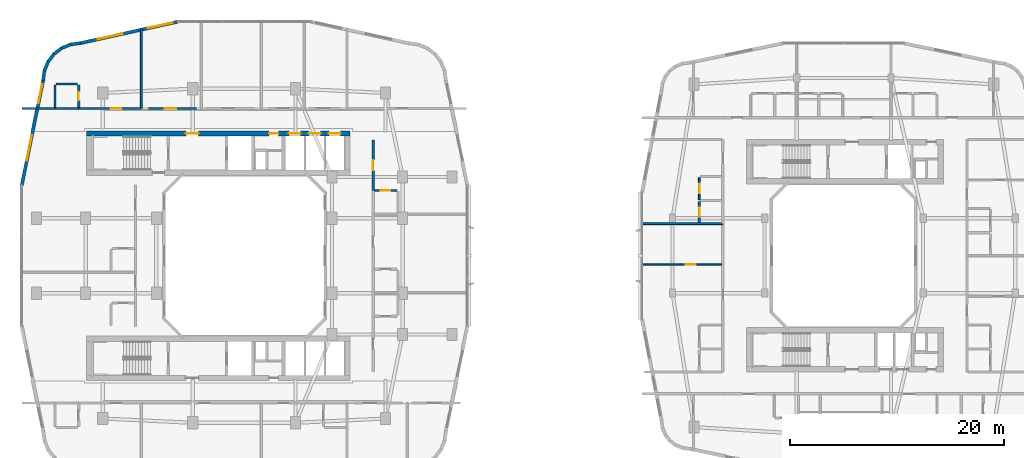
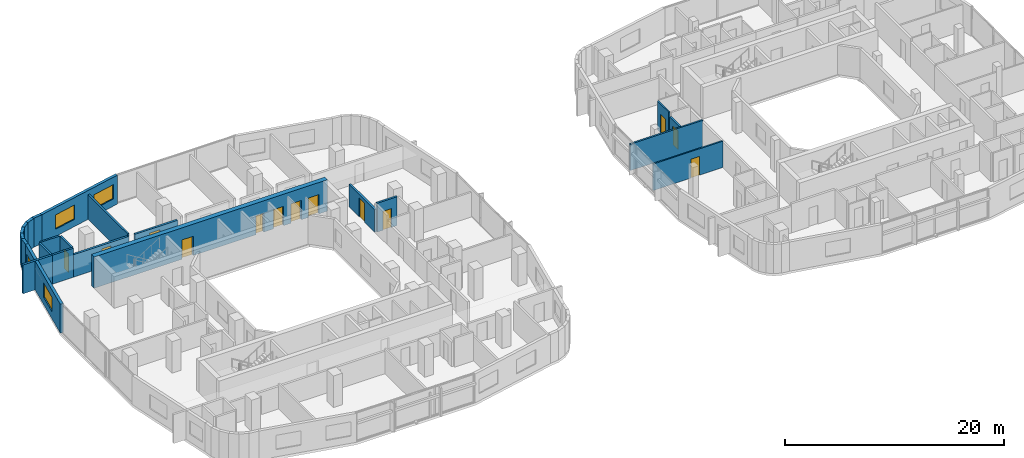
# One storey, part 16 of 27: 23 walls, 13 doors, 4 windows, 17 openings.
"""IFC4 building model written with IfcOpenShell, lengths in metres."""

from ifc_helpers import new_model, si_unit, derived_unit, direction, frame, frame_2d, origin, place, context, subcontext, project, spatial, rectangle, extrude, material, layer, layer_set, type_object, element, fill, save


model = new_model("IFC4")

# Units and contexts
model_context = context("Model", 3, precision=1e-05, world=origin(), true_north=direction((0.0, 1.0)))
body_context = subcontext(model_context, "Body", "Model", "MODEL_VIEW")
ifc_project = project(units=[si_unit("LENGTHUNIT", "METRE"), si_unit("AREAUNIT", "SQUARE_METRE"), si_unit("VOLUMEUNIT", "CUBIC_METRE"), si_unit("PLANEANGLEUNIT", "RADIAN"), si_unit("MASSUNIT", "GRAM", prefix="KILO"), derived_unit("THERMALTRANSMITTANCEUNIT", [(si_unit("POWERUNIT", "WATT"), 1), (si_unit("LENGTHUNIT", "METRE"), -2), (si_unit("THERMODYNAMICTEMPERATUREUNIT", "KELVIN"), -1)])], contexts=[model_context])

# Site, building, storey
site_placement = place(None, origin())
site = spatial("IfcSite", under=ifc_project, at=site_placement, CompositionType="ELEMENT")
building_placement = place(site_placement, origin())
building = spatial("IfcBuilding", under=site, at=building_placement, Name="Kivonza Crest Hotel", CompositionType="ELEMENT")
storey_placement = place(building_placement, frame((0.0, 0.0, 76.5)))
storey = spatial("IfcBuildingStorey", under=building, at=storey_placement, Name="L20", CompositionType="ELEMENT", Elevation=76.5)

# Walls
ifc_material_1 = material(Name="High-density acoustic masonry inter-tenancy wall", Category="masonry")
ifc_layer_1 = layer(ifc_material_1, 0.179931640625)
ifc_layer_set_1 = layer_set([ifc_layer_1], Name="High-density acoustic masonry inter-tenancy wall")
wall_type_1 = type_object("IfcWallType", Name="WL-ACOU-180", PredefinedType="SOLIDWALL", material=ifc_layer_set_1)
wall_1_placement = place(storey_placement, frame((11.39990234375, 38.75, 0.0), z_axis=(0.0, 0.0, 1.0), x_axis=(0.0, 1.0, 0.0)))
element("IfcWall", 1, at=wall_1_placement, inside=storey, type_object=wall_type_1, Name="L20 interior partition WA-L20-T1N-DIV1", PredefinedType="SOLIDWALL", context=body_context, shape_type="SweptSolid", body=[
    extrude(rectangle(XDim=7.449951171875, YDim=0.179931640625, at=frame_2d((3.72509765625, 0.0))), origin(), (0.0, 0.0, 1.0), 2.7451171875),
])
wall_2_placement = place(storey_placement, frame((58.06005859375, 28.0, 0.0), z_axis=(0.0, 0.0, 1.0), x_axis=(1.0, 0.0, 0.0)))
element("IfcWall", 2, at=wall_2_placement, inside=storey, type_object=wall_type_1, Name="L20 interior partition WA-L20-T2W-DIV1", PredefinedType="SOLIDWALL", context=body_context, shape_type="SweptSolid", body=[
    extrude(rectangle(XDim=7.639892578125, YDim=0.179931640625, at=frame_2d((3.81982421875, 0.0))), origin(), (0.0, 0.0, 1.0), 2.945068359375),
])
ifc_material_2 = material(Name="Autoclaved aerated concrete blockwork", Category="masonry")
ifc_layer_2 = layer(ifc_material_2, 0.219970703125)
ifc_layer_set_2 = layer_set([ifc_layer_2], Name="Autoclaved aerated concrete blockwork")
wall_type_2 = type_object("IfcWallType", Name="WL-ACOU-220", PredefinedType="SOLIDWALL", material=ifc_layer_set_2)
wall_3_placement = place(storey_placement, frame((0.239990234375, 38.75, 0.0), z_axis=(0.0, 0.0, 1.0), x_axis=(1.0, 0.0, 0.0)))
element("IfcWall", 3, at=wall_3_placement, inside=storey, type_object=wall_type_2, Name="L20 interior partition WA-L20-N01-XCORR", PredefinedType="SOLIDWALL", context=body_context, shape_type="SweptSolid", body=[
    extrude(rectangle(XDim=3.110107421875, YDim=0.219970703125, at=frame_2d((1.55517578125, 0.0))), origin(), (0.0, 0.0, 1.0), 3.219970703125),
])
wall_4_placement = place(storey_placement, frame((3.35009765625, 38.75, 0.0), z_axis=(0.0, 0.0, 1.0), x_axis=(1.0, 0.0, 0.0)))
element("IfcWall", 4, at=wall_4_placement, inside=storey, type_object=wall_type_2, Name="L20 interior partition WA-L20-N01-BCORR", PredefinedType="SOLIDWALL", context=body_context, shape_type="SweptSolid", body=[
    extrude(rectangle(XDim=2.199951171875, YDim=0.219970703125, at=frame_2d((1.10009765625, 0.0))), origin(), (0.0, 0.0, 1.0), 3.219970703125),
])

# Wall, opening, door
wall_5_placement = place(storey_placement, frame((5.550048828125, 38.75, 0.0), z_axis=(0.0, 0.0, 1.0), x_axis=(1.0, 0.0, 0.0)))
wall_5 = element("IfcWall", 5, at=wall_5_placement, inside=storey, type_object=wall_type_2, Name="L20 interior partition WA-L20-N01-MCORR", PredefinedType="SOLIDWALL", context=body_context, shape_type="SweptSolid", body=[
    extrude(rectangle(XDim=5.849853515625, YDim=0.219970703125, at=frame_2d((2.9248046875, 0.0))), origin(), (0.0, 0.0, 1.0), 2.4951171875),
])
opening_1_placement = place(wall_5_placement, frame((3.010009765625, 0.0, 0.0)))
opening_1 = element("IfcOpeningElement", 6, at=opening_1_placement, cuts=wall_5, Name="Opening DU-60", PredefinedType="OPENING", context=body_context, shape_type="SweptSolid", body=[
    extrude(rectangle(XDim=0.949951171875, YDim=2.10009765625, at=frame_2d((0.47509765625, 1.050048828125))), frame((0.0, 0.1201171875, 0.0), z_axis=(0.0, -1.0, 0.0), x_axis=(1.0, 0.0, 0.0)), (0.0, 0.0, 1.0), 0.239990234375),
])
ifc_material_3 = material(Name="Hardwood timber oak", Category="wood")
door_type_1 = type_object("IfcDoorType", Name="DR-UNIT-950", OperationType="NOTDEFINED", PredefinedType="DOOR", material=ifc_material_3)
door_1_placement = place(opening_1_placement, origin())
door_1 = element("IfcDoor", 7, at=door_1_placement, inside=storey, type_object=door_type_1, Name="L20 N01 guest unit entrance fire door", OperationType="SINGLE_SWING_LEFT", OverallHeight=2.10009765625, OverallWidth=0.949951171875, PredefinedType="DOOR", context=body_context, shape_type="SweptSolid", body=[
    extrude(rectangle(XDim=0.949951171875, YDim=2.10009765625, at=frame_2d((0.47509765625, 1.050048828125))), frame((0.0, 0.02490234375, 0.0), z_axis=(0.0, -1.0, 0.0), x_axis=(1.0, 0.0, 0.0)), (0.0, 0.0, 1.0), 0.050048828125),
])
fill(opening_1, door_1)

wall_6_placement = place(storey_placement, frame((12.050048828125, 38.75, 0.0), z_axis=(0.0, 0.0, 1.0), x_axis=(1.0, 0.0, 0.0)))
wall_6 = element("IfcWall", 8, at=wall_6_placement, inside=storey, type_object=wall_type_2, Name="L20 interior partition WA-L20-Z1-NB2A-S", PredefinedType="SOLIDWALL", context=body_context, shape_type="SweptSolid", body=[
    extrude(rectangle(XDim=4.5, YDim=0.219970703125, at=frame_2d((2.25, 0.0))), origin(), (0.0, 0.0, 1.0), 2.4951171875),
])
opening_2_placement = place(wall_6_placement, frame((1.52001953125, 0.0, 0.0)))
opening_2 = element("IfcOpeningElement", 9, at=opening_2_placement, cuts=wall_6, Name="Opening DF-60M", PredefinedType="OPENING", context=body_context, shape_type="SweptSolid", body=[
    extrude(rectangle(XDim=1.10009765625, YDim=2.10009765625, at=frame_2d((0.550048828125, 1.050048828125))), frame((0.0, 0.1201171875, 0.0), z_axis=(0.0, -1.0, 0.0), x_axis=(1.0, 0.0, 0.0)), (0.0, 0.0, 1.0), 0.239990234375),
])
door_type_2 = type_object("IfcDoorType", Name="DR-FD60-1100", OperationType="NOTDEFINED", PredefinedType="DOOR", material=ifc_material_3)
door_2_placement = place(opening_2_placement, origin())
door_2 = element("IfcDoor", 10, at=door_2_placement, inside=storey, type_object=door_type_2, Name="L20 Zone 1 North Executive Office door", OperationType="SINGLE_SWING_RIGHT", OverallHeight=2.10009765625, OverallWidth=1.10009765625, PredefinedType="DOOR", context=body_context, shape_type="SweptSolid", body=[
    extrude(rectangle(XDim=1.10009765625, YDim=2.10009765625, at=frame_2d((0.550048828125, 1.050048828125))), frame((0.0, 0.02490234375, 0.0), z_axis=(0.0, -1.0, 0.0), x_axis=(1.0, 0.0, 0.0)), (0.0, 0.0, 1.0), 0.050048828125),
])
fill(opening_2, door_2)

wall_7_placement = place(storey_placement, frame((33.050048828125, 31.087890625, 0.0), z_axis=(0.0, 0.0, 1.0), x_axis=(0.0, 1.0, 0.0)))
wall_7 = element("IfcWall", 11, at=wall_7_placement, inside=storey, type_object=wall_type_2, Name="L20 interior partition WA-L20-E08-MCORR", PredefinedType="SOLIDWALL", context=body_context, shape_type="SweptSolid", body=[
    extrude(rectangle(XDim=4.712158203125, YDim=0.219970703125, at=frame_2d((2.35595703125, 0.0))), origin(), (0.0, 0.0, 1.0), 2.4951171875),
])
opening_3_placement = place(wall_7_placement, frame((1.881103515625, 0.0, 0.0)))
opening_3 = element("IfcOpeningElement", 12, at=opening_3_placement, cuts=wall_7, Name="Opening DU-60", PredefinedType="OPENING", context=body_context, shape_type="SweptSolid", body=[
    extrude(rectangle(XDim=0.949951171875, YDim=2.10009765625, at=frame_2d((0.47509765625, 1.050048828125))), frame((0.0, 0.1201171875, 0.0), z_axis=(0.0, -1.0, 0.0), x_axis=(1.0, 0.0, 0.0)), (0.0, 0.0, 1.0), 0.239990234375),
])
door_3_placement = place(opening_3_placement, frame((0.949951171875, 0.0, 0.0), z_axis=(0.0, 0.0, 1.0), x_axis=(-1.0, 0.0, 0.0)))
door_3 = element("IfcDoor", 13, at=door_3_placement, inside=storey, type_object=door_type_1, Name="L20 E08 guest unit entrance fire door", OperationType="SINGLE_SWING_RIGHT", OverallHeight=2.10009765625, OverallWidth=0.949951171875, PredefinedType="DOOR", context=body_context, shape_type="SweptSolid", body=[
    extrude(rectangle(XDim=0.949951171875, YDim=2.10009765625, at=frame_2d((0.47509765625, 1.050048828125))), frame((0.0, 0.02490234375, 0.0), z_axis=(0.0, -1.0, 0.0), x_axis=(1.0, 0.0, 0.0)), (0.0, 0.0, 1.0), 0.050048828125),
])
fill(opening_3, door_3)

# Wall, openings, doors
ifc_material_4 = material(Name="Concrete C60/75", Category="concrete")
ifc_layer_3 = layer(ifc_material_4, 0.5)
ifc_layer_set_3 = layer_set([ifc_layer_3], Name="Concrete C60/75")
wall_type_3 = type_object("IfcWallType", Name="WL-CORE-500", PredefinedType="SHEAR", material=ifc_layer_set_3)
wall_8_placement = place(storey_placement, frame((6.300048828125, 36.409912109375, 0.0), z_axis=(0.0, 0.0, 1.0), x_axis=(1.0, 0.0, 0.0)))
wall_8 = element("IfcWall", 14, at=wall_8_placement, inside=storey, type_object=wall_type_3, Name="Core wall T1-N North L20", PredefinedType="SHEAR", context=body_context, shape_type="SweptSolid", body=[
    extrude(rectangle(XDim=24.599853515625, YDim=0.5, at=frame_2d((12.2998046875, 0.0))), origin(), (0.0, 0.0, 1.0), 3.5),
])
opening_4_placement = place(wall_8_placement, frame((9.25, 0.0, 0.0)))
opening_4 = element("IfcOpeningElement", 15, at=opening_4_placement, cuts=wall_8, Name="Opening DF-60", PredefinedType="OPENING", context=body_context, shape_type="SweptSolid", body=[
    extrude(rectangle(XDim=1.199951171875, YDim=2.14990234375, at=frame_2d((0.60009765625, 1.074951171875))), frame((0.0, 0.260009765625, 0.0), z_axis=(0.0, -1.0, 0.0), x_axis=(1.0, 0.0, 0.0)), (0.0, 0.0, 1.0), 0.52001953125),
])
opening_5_placement = place(wall_8_placement, frame((17.0400390625, 0.0, 0.0)))
opening_5 = element("IfcOpeningElement", 16, at=opening_5_placement, cuts=wall_8, Name="Opening DF-60R", PredefinedType="OPENING", context=body_context, shape_type="SweptSolid", body=[
    extrude(rectangle(XDim=0.85009765625, YDim=2.10009765625, at=frame_2d((0.425048828125, 1.050048828125))), frame((0.0, 0.260009765625, 0.0), z_axis=(0.0, -1.0, 0.0), x_axis=(1.0, 0.0, 0.0)), (0.0, 0.0, 1.0), 0.52001953125),
])
opening_6_placement = place(wall_8_placement, frame((18.883056640625, 0.0, 0.0)))
opening_6 = element("IfcOpeningElement", 17, at=opening_6_placement, cuts=wall_8, Name="Opening LD-120", PredefinedType="OPENING", context=body_context, shape_type="SweptSolid", body=[
    extrude(rectangle(XDim=1.10009765625, YDim=2.14990234375, at=frame_2d((0.550048828125, 1.074951171875))), frame((0.0, 0.260009765625, 0.0), z_axis=(0.0, -1.0, 0.0), x_axis=(1.0, 0.0, 0.0)), (0.0, 0.0, 1.0), 0.52001953125),
])
opening_7_placement = place(wall_8_placement, frame((20.75, 0.0, 0.0)))
opening_7 = element("IfcOpeningElement", 18, at=opening_7_placement, cuts=wall_8, Name="Opening LD-120", PredefinedType="OPENING", context=body_context, shape_type="SweptSolid", body=[
    extrude(rectangle(XDim=1.10009765625, YDim=2.14990234375, at=frame_2d((0.550048828125, 1.074951171875))), frame((0.0, 0.260009765625, 0.0), z_axis=(0.0, -1.0, 0.0), x_axis=(1.0, 0.0, 0.0)), (0.0, 0.0, 1.0), 0.52001953125),
])
opening_8_placement = place(wall_8_placement, frame((22.615966796875, 0.0, 0.0)))
opening_8 = element("IfcOpeningElement", 19, at=opening_8_placement, cuts=wall_8, Name="Opening LD-120", PredefinedType="OPENING", context=body_context, shape_type="SweptSolid", body=[
    extrude(rectangle(XDim=1.10009765625, YDim=2.14990234375, at=frame_2d((0.550048828125, 1.074951171875))), frame((0.0, 0.260009765625, 0.0), z_axis=(0.0, -1.0, 0.0), x_axis=(1.0, 0.0, 0.0)), (0.0, 0.0, 1.0), 0.52001953125),
])
door_type_3 = type_object("IfcDoorType", Name="DR-FD60-1200", OperationType="NOTDEFINED", PredefinedType="DOOR", material=ifc_material_3)
door_4_placement = place(opening_4_placement, origin())
door_4 = element("IfcDoor", 20, at=door_4_placement, inside=storey, type_object=door_type_3, Name="L20 T1-N firefighting lobby fire door", OperationType="SINGLE_SWING_RIGHT", OverallHeight=2.14990234375, OverallWidth=1.199951171875, PredefinedType="DOOR", context=body_context, shape_type="SweptSolid", body=[
    extrude(rectangle(XDim=1.199951171875, YDim=2.14990234375, at=frame_2d((0.60009765625, 1.074951171875))), frame((0.0, 0.02490234375, 0.0), z_axis=(0.0, -1.0, 0.0), x_axis=(1.0, 0.0, 0.0)), (0.0, 0.0, 1.0), 0.050048828125),
])
fill(opening_4, door_4)
door_type_4 = type_object("IfcDoorType", Name="DR-FD60-850", OperationType="NOTDEFINED", PredefinedType="DOOR", material=ifc_material_3)
door_5_placement = place(opening_5_placement, origin())
door_5 = element("IfcDoor", 21, at=door_5_placement, inside=storey, type_object=door_type_4, Name="L20 T1-N core room door", OperationType="SINGLE_SWING_RIGHT", OverallHeight=2.10009765625, OverallWidth=0.85009765625, PredefinedType="DOOR", context=body_context, shape_type="SweptSolid", body=[
    extrude(rectangle(XDim=0.85009765625, YDim=2.10009765625, at=frame_2d((0.425048828125, 1.050048828125))), frame((0.0, 0.02490234375, 0.0), z_axis=(0.0, -1.0, 0.0), x_axis=(1.0, 0.0, 0.0)), (0.0, 0.0, 1.0), 0.050048828125),
])
fill(opening_5, door_5)
ifc_material_5 = material(Name="Stainless steel", Category="steel")
door_type_5 = type_object("IfcDoorType", Name="DR-LD120-1100", OperationType="NOTDEFINED", PredefinedType="DOOR", material=ifc_material_5)
door_6_placement = place(opening_6_placement, origin())
door_6 = element("IfcDoor", 22, at=door_6_placement, inside=storey, type_object=door_type_5, Name="L20 PL-T1-L1 passenger lift sliding landing door", OperationType="DOUBLE_DOOR_SLIDING", OverallHeight=2.14990234375, OverallWidth=1.10009765625, PredefinedType="DOOR", context=body_context, shape_type="SweptSolid", body=[
    extrude(rectangle(XDim=1.10009765625, YDim=2.14990234375, at=frame_2d((0.550048828125, 1.074951171875))), frame((0.0, 0.02490234375, 0.0), z_axis=(0.0, -1.0, 0.0), x_axis=(1.0, 0.0, 0.0)), (0.0, 0.0, 1.0), 0.050048828125),
])
fill(opening_6, door_6)
door_7_placement = place(opening_7_placement, origin())
door_7 = element("IfcDoor", 23, at=door_7_placement, inside=storey, type_object=door_type_5, Name="L20 PL-T1-L2 passenger lift sliding landing door", OperationType="DOUBLE_DOOR_SLIDING", OverallHeight=2.14990234375, OverallWidth=1.10009765625, PredefinedType="DOOR", context=body_context, shape_type="SweptSolid", body=[
    extrude(rectangle(XDim=1.10009765625, YDim=2.14990234375, at=frame_2d((0.550048828125, 1.074951171875))), frame((0.0, 0.02490234375, 0.0), z_axis=(0.0, -1.0, 0.0), x_axis=(1.0, 0.0, 0.0)), (0.0, 0.0, 1.0), 0.050048828125),
])
fill(opening_7, door_7)
door_8_placement = place(opening_8_placement, origin())
door_8 = element("IfcDoor", 24, at=door_8_placement, inside=storey, type_object=door_type_5, Name="L20 PL-T1-L3 passenger lift sliding landing door", OperationType="DOUBLE_DOOR_SLIDING", OverallHeight=2.14990234375, OverallWidth=1.10009765625, PredefinedType="DOOR", context=body_context, shape_type="SweptSolid", body=[
    extrude(rectangle(XDim=1.10009765625, YDim=2.14990234375, at=frame_2d((0.550048828125, 1.074951171875))), frame((0.0, 0.02490234375, 0.0), z_axis=(0.0, -1.0, 0.0), x_axis=(1.0, 0.0, 0.0)), (0.0, 0.0, 1.0), 0.050048828125),
])
fill(opening_8, door_8)

# Wall, openings, windows
ifc_material_6 = material(Name="Precast concrete C40/50", Category="concrete")
ifc_layer_4 = layer(ifc_material_6, 0.300048828125)
ifc_layer_set_4 = layer_set([ifc_layer_4], Name="Precast concrete C40/50")
wall_type_4 = type_object("IfcWallType", Name="WL-EXT-300", PredefinedType="STANDARD", material=ifc_layer_set_4)
wall_9_placement = place(storey_placement, frame((14.837890625, 46.865966796875, 0.0), z_axis=(0.0, 0.0, 1.0), x_axis=(-0.9765437942, -0.215318875183, 0.0)))
wall_9 = element("IfcWall", 25, at=wall_9_placement, inside=storey, type_object=wall_type_4, Name="L20 T1 exterior insulated wall 27", PredefinedType="STANDARD", context=body_context, shape_type="SweptSolid", body=[
    extrude(rectangle(XDim=9.353271484375, YDim=0.300048828125, at=frame_2d((4.6767578125, 0.0))), origin(), (0.0, 0.0, 1.0), 3.219970703125),
])
opening_9_placement = place(wall_9_placement, frame((0.52001953125, 0.0, 0.800048828125)))
opening_9 = element("IfcOpeningElement", 26, at=opening_9_placement, cuts=wall_9, Name="Opening WN-05", PredefinedType="OPENING", context=body_context, shape_type="SweptSolid", body=[
    extrude(rectangle(XDim=2.39990234375, YDim=1.60009765625, at=frame_2d((1.199951171875, 0.800048828125))), frame((0.0, 0.16015625, 0.0), z_axis=(0.0, -1.0, 0.0), x_axis=(1.0, 0.0, 0.0)), (0.0, 0.0, 1.0), 0.320068359375),
])
opening_10_placement = place(wall_9_placement, frame((5.302001953125, 0.0, 0.800048828125)))
opening_10 = element("IfcOpeningElement", 27, at=opening_10_placement, cuts=wall_9, Name="Opening WN-05", PredefinedType="OPENING", context=body_context, shape_type="SweptSolid", body=[
    extrude(rectangle(XDim=2.39990234375, YDim=1.60009765625, at=frame_2d((1.199951171875, 0.800048828125))), frame((0.0, 0.16015625, 0.0), z_axis=(0.0, -1.0, 0.0), x_axis=(1.0, 0.0, 0.0)), (0.0, 0.0, 1.0), 0.320068359375),
])
ifc_material_7 = material(Name="Thermally broken bronze aluminium and low-E double glazing", Category="aluminium")
window_type_1 = type_object("IfcWindowType", Name="WN-240x160", PartitioningType="TRIPLE_PANEL_VERTICAL", PredefinedType="WINDOW", material=ifc_material_7)
window_1_placement = place(opening_9_placement, origin())
window_1 = element("IfcWindow", 28, at=window_1_placement, inside=storey, type_object=window_type_1, Name="L20 T1 facade window 27 bay 1", OverallHeight=1.60009765625, OverallWidth=2.39990234375, PartitioningType="SINGLE_PANEL", PredefinedType="WINDOW", context=body_context, shape_type="SweptSolid", body=[
    extrude(rectangle(XDim=2.39990234375, YDim=1.60009765625, at=frame_2d((1.199951171875, 0.800048828125))), frame((0.0, 0.030029296875, 0.0), z_axis=(0.0, -1.0, 0.0), x_axis=(1.0, 0.0, 0.0)), (0.0, 0.0, 1.0), 0.06005859375),
])
fill(opening_9, window_1)
window_2_placement = place(opening_10_placement, origin())
window_2 = element("IfcWindow", 29, at=window_2_placement, inside=storey, type_object=window_type_1, Name="L20 T1 facade window 27 bay 2", OverallHeight=1.60009765625, OverallWidth=2.39990234375, PartitioningType="SINGLE_PANEL", PredefinedType="WINDOW", context=body_context, shape_type="SweptSolid", body=[
    extrude(rectangle(XDim=2.39990234375, YDim=1.60009765625, at=frame_2d((1.199951171875, 0.800048828125))), frame((0.0, 0.030029296875, 0.0), z_axis=(0.0, -1.0, 0.0), x_axis=(1.0, 0.0, 0.0)), (0.0, 0.0, 1.0), 0.06005859375),
])
fill(opening_10, window_2)

# Walls
wall_10_placement = place(storey_placement, frame((5.7080078125, 44.85205078125, 0.0), z_axis=(0.0, 0.0, 1.0), x_axis=(-0.991359246108, -0.131174864804, 0.0)))
element("IfcWall", 30, at=wall_10_placement, inside=storey, type_object=wall_type_4, Name="L20 T1 exterior insulated wall 28", PredefinedType="STANDARD", context=body_context, shape_type="SweptSolid", body=[
    extrude(rectangle(XDim=0.93798828125, YDim=0.300048828125, at=frame_2d((0.468994140625, 0.0))), origin(), (0.0, 0.0, 1.0), 3.219970703125),
])
wall_11_placement = place(storey_placement, frame((4.827880859375, 44.748046875, 0.0), z_axis=(0.0, 0.0, 1.0), x_axis=(-0.923982547689, -0.382434636986, 0.0)))
element("IfcWall", 31, at=wall_11_placement, inside=storey, type_object=wall_type_4, Name="L20 T1 exterior insulated wall 29", PredefinedType="STANDARD", context=body_context, shape_type="SweptSolid", body=[
    extrude(rectangle(XDim=0.954345703125, YDim=0.300048828125, at=frame_2d((0.47705078125, 0.0))), origin(), (0.0, 0.0, 1.0), 3.219970703125),
])
for number, where, z_axis, x_axis, name in (
    (32, (3.990966796875, 44.4140625, 0.0), (0.0, 0.0, 1.0), (-0.793668068435, -0.608351047625, 0.0), "L20 T1 exterior insulated wall 30"),
    (33, (3.26806640625, 43.875, 0.0), (0.0, 0.0, 1.0), (-0.608351047625, -0.793668068435, 0.0), "L20 T1 exterior insulated wall 31"),
):
    element("IfcWall", number, at=place(storey_placement, frame(where, z_axis=z_axis, x_axis=x_axis)), inside=storey, type_object=wall_type_4, Name=name, PredefinedType="STANDARD", context=body_context, shape_type="SweptSolid", body=[
        extrude(rectangle(XDim=0.955078125, YDim=0.300048828125, at=frame_2d((0.4775390625, 0.0))), origin(), (0.0, 0.0, 1.0), 3.219970703125),
    ])
wall_12_placement = place(storey_placement, frame((2.7109375, 43.166015625, 0.0), z_axis=(0.0, 0.0, 1.0), x_axis=(-0.382344263057, -0.924019948111, 0.0)))
element("IfcWall", 34, at=wall_12_placement, inside=storey, type_object=wall_type_4, Name="L20 T1 exterior insulated wall 32", PredefinedType="STANDARD", context=body_context, shape_type="SweptSolid", body=[
    extrude(rectangle(XDim=0.95458984375, YDim=0.300048828125, at=frame_2d((0.477294921875, 0.0))), origin(), (0.0, 0.0, 1.0), 3.219970703125),
])
wall_13_placement = place(storey_placement, frame((2.35498046875, 42.3369140625, 0.0), z_axis=(0.0, 0.0, 1.0), x_axis=(-0.130454512571, -0.991454295543, 0.0)))
element("IfcWall", 35, at=wall_13_placement, inside=storey, type_object=wall_type_4, Name="L20 T1 exterior insulated wall 33", PredefinedType="STANDARD", context=body_context, shape_type="SweptSolid", body=[
    extrude(rectangle(XDim=0.97314453125, YDim=0.300048828125, at=frame_2d((0.486572265625, 0.0))), origin(), (0.0, 0.0, 1.0), 3.219970703125),
])

# Wall, openings, windows
wall_14_placement = place(storey_placement, frame((2.22900390625, 41.3779296875, 0.0), z_axis=(0.0, 0.0, 1.0), x_axis=(-0.199990901713, -0.979797754249, 0.0)))
wall_14 = element("IfcWall", 36, at=wall_14_placement, inside=storey, type_object=wall_type_4, Name="L20 T1 exterior insulated wall 34", PredefinedType="STANDARD", context=body_context, shape_type="SweptSolid", body=[
    extrude(rectangle(XDim=10.065185546875, YDim=0.300048828125, at=frame_2d((5.03271484375, 0.0))), origin(), (0.0, 0.0, 1.0), 3.219970703125),
])
opening_11_placement = place(wall_14_placement, frame((0.3779296875, 0.0, 0.85009765625)))
opening_11 = element("IfcOpeningElement", 37, at=opening_11_placement, cuts=wall_14, Name="Opening WN-03", PredefinedType="OPENING", context=body_context, shape_type="SweptSolid", body=[
    extrude(rectangle(XDim=1.800048828125, YDim=1.5, at=frame_2d((0.89990234375, 0.75))), frame((0.0, 0.16015625, 0.0), z_axis=(0.0, -1.0, 0.0), x_axis=(1.0, 0.0, 0.0)), (0.0, 0.0, 1.0), 0.320068359375),
])
opening_12_placement = place(wall_14_placement, frame((5.236083984375, 0.0, 0.800048828125)))
opening_12 = element("IfcOpeningElement", 38, at=opening_12_placement, cuts=wall_14, Name="Opening WN-05", PredefinedType="OPENING", context=body_context, shape_type="SweptSolid", body=[
    extrude(rectangle(XDim=2.39990234375, YDim=1.60009765625, at=frame_2d((1.199951171875, 0.800048828125))), frame((0.0, 0.16015625, 0.0), z_axis=(0.0, -1.0, 0.0), x_axis=(1.0, 0.0, 0.0)), (0.0, 0.0, 1.0), 0.320068359375),
])
window_type_2 = type_object("IfcWindowType", Name="WN-180x150", PartitioningType="DOUBLE_PANEL_VERTICAL", PredefinedType="WINDOW", material=ifc_material_7)
window_3_placement = place(opening_11_placement, origin())
window_3 = element("IfcWindow", 39, at=window_3_placement, inside=storey, type_object=window_type_2, Name="L20 T1 facade window 34 bay 1", OverallHeight=1.5, OverallWidth=1.800048828125, PartitioningType="SINGLE_PANEL", PredefinedType="WINDOW", context=body_context, shape_type="SweptSolid", body=[
    extrude(rectangle(XDim=1.800048828125, YDim=1.5, at=frame_2d((0.89990234375, 0.75))), frame((0.0, 0.030029296875, 0.0), z_axis=(0.0, -1.0, 0.0), x_axis=(1.0, 0.0, 0.0)), (0.0, 0.0, 1.0), 0.06005859375),
])
fill(opening_11, window_3)
window_4_placement = place(opening_12_placement, origin())
window_4 = element("IfcWindow", 40, at=window_4_placement, inside=storey, type_object=window_type_1, Name="L20 T1 facade window 34 bay 2", OverallHeight=1.60009765625, OverallWidth=2.39990234375, PartitioningType="SINGLE_PANEL", PredefinedType="WINDOW", context=body_context, shape_type="SweptSolid", body=[
    extrude(rectangle(XDim=2.39990234375, YDim=1.60009765625, at=frame_2d((1.199951171875, 0.800048828125))), frame((0.0, 0.030029296875, 0.0), z_axis=(0.0, -1.0, 0.0), x_axis=(1.0, 0.0, 0.0)), (0.0, 0.0, 1.0), 0.06005859375),
])
fill(opening_12, window_4)

# Wall, opening, door
ifc_material_8 = material(Name="Twin-stud acoustic gypsum board partition", Category="gypsum")
ifc_layer_5 = layer(ifc_material_8, 0.14990234375)
ifc_layer_set_5 = layer_set([ifc_layer_5], Name="Twin-stud acoustic gypsum board partition")
wall_type_5 = type_object("IfcWallType", Name="WL-PART-150", PredefinedType="PARTITIONING", material=ifc_layer_set_5)
wall_15_placement = place(storey_placement, frame((58.260009765625, 24.199951171875, 0.0), z_axis=(0.0, 0.0, 1.0), x_axis=(1.0, 0.0, 0.0)))
wall_15 = element("IfcWall", 41, at=wall_15_placement, inside=storey, type_object=wall_type_5, Name="L20 interior partition WP-L20-A06-BD1", PredefinedType="PARTITIONING", context=body_context, shape_type="SweptSolid", body=[
    extrude(rectangle(XDim=7.340087890625, YDim=0.14990234375, at=frame_2d((3.669921875, 0.0))), origin(), (0.0, 0.0, 1.0), 2.945068359375),
])
opening_13_placement = place(wall_15_placement, frame((3.989990234375, 0.0, 0.0)))
opening_13 = element("IfcOpeningElement", 42, at=opening_13_placement, cuts=wall_15, Name="Opening DI-90", PredefinedType="OPENING", context=body_context, shape_type="SweptSolid", body=[
    extrude(rectangle(XDim=0.89990234375, YDim=2.10009765625, at=frame_2d((0.449951171875, 1.050048828125))), frame((0.0, 0.0849609375, 0.0), z_axis=(0.0, -1.0, 0.0), x_axis=(1.0, 0.0, 0.0)), (0.0, 0.0, 1.0), 0.169921875),
])
door_type_6 = type_object("IfcDoorType", Name="DR-INT-900", OperationType="NOTDEFINED", PredefinedType="DOOR", material=ifc_material_3)
door_9_placement = place(opening_13_placement, origin())
door_9 = element("IfcDoor", 43, at=door_9_placement, inside=storey, type_object=door_type_6, Name="L20 A06 bedroom door", OperationType="SINGLE_SWING_LEFT", OverallHeight=2.10009765625, OverallWidth=0.89990234375, PredefinedType="DOOR", context=body_context, shape_type="SweptSolid", body=[
    extrude(rectangle(XDim=0.89990234375, YDim=2.10009765625, at=frame_2d((0.449951171875, 1.050048828125))), frame((0.0, 0.02490234375, 0.0), z_axis=(0.0, -1.0, 0.0), x_axis=(1.0, 0.0, 0.0)), (0.0, 0.0, 1.0), 0.050048828125),
])
fill(opening_13, door_9)

wall_16_placement = place(storey_placement, frame((63.5, 30.25, 0.0), z_axis=(0.0, 0.0, 1.0), x_axis=(0.0, 1.0, 0.0)))
wall_16 = element("IfcWall", 44, at=wall_16_placement, inside=storey, type_object=wall_type_5, Name="L20 interior partition WP-L20-A07-KSVC", PredefinedType="PARTITIONING", context=body_context, shape_type="SweptSolid", body=[
    extrude(rectangle(XDim=2.050048828125, YDim=0.14990234375, at=frame_2d((1.02490234375, 0.0))), origin(), (0.0, 0.0, 1.0), 3.219970703125),
])
opening_14_placement = place(wall_16_placement, frame((0.574951171875, 0.0, 0.0)))
opening_14 = element("IfcOpeningElement", 45, at=opening_14_placement, cuts=wall_16, Name="Opening DI-90", PredefinedType="OPENING", context=body_context, shape_type="SweptSolid", body=[
    extrude(rectangle(XDim=0.89990234375, YDim=2.10009765625, at=frame_2d((0.449951171875, 1.050048828125))), frame((0.0, 0.0849609375, 0.0), z_axis=(0.0, -1.0, 0.0), x_axis=(1.0, 0.0, 0.0)), (0.0, 0.0, 1.0), 0.169921875),
])
door_10_placement = place(opening_14_placement, origin())
door_10 = element("IfcDoor", 46, at=door_10_placement, inside=storey, type_object=door_type_6, Name="L20 A07 apartment kitchen door", OperationType="SINGLE_SWING_LEFT", OverallHeight=2.10009765625, OverallWidth=0.89990234375, PredefinedType="DOOR", context=body_context, shape_type="SweptSolid", body=[
    extrude(rectangle(XDim=0.89990234375, YDim=2.10009765625, at=frame_2d((0.449951171875, 1.050048828125))), frame((0.0, 0.02490234375, 0.0), z_axis=(0.0, -1.0, 0.0), x_axis=(1.0, 0.0, 0.0)), (0.0, 0.0, 1.0), 0.050048828125),
])
fill(opening_14, door_10)

ifc_material_9 = material(Name="Moisture-resistant plumbing chase partition wall", Category="gypsum")
ifc_layer_6 = layer(ifc_material_9, 0.199951171875)
ifc_layer_set_6 = layer_set([ifc_layer_6], Name="Moisture-resistant plumbing chase partition wall")
wall_type_6 = type_object("IfcWallType", Name="WL-PLUMB-200", PredefinedType="PLUMBINGWALL", material=ifc_layer_set_6)
wall_17_placement = place(storey_placement, frame((5.550048828125, 38.85009765625, 0.0), z_axis=(0.0, 0.0, 1.0), x_axis=(0.0, 1.0, 0.0)))
wall_17 = element("IfcWall", 47, at=wall_17_placement, inside=storey, type_object=wall_type_6, Name="L20 interior partition WW-L20-N01-BV", PredefinedType="PLUMBINGWALL", context=body_context, shape_type="SweptSolid", body=[
    extrude(rectangle(XDim=2.099853515625, YDim=0.199951171875, at=frame_2d((1.0498046875, 0.0))), origin(), (0.0, 0.0, 1.0), 3.219970703125),
])
opening_15_placement = place(wall_17_placement, frame((0.625, 0.0, 0.0)))
opening_15 = element("IfcOpeningElement", 48, at=opening_15_placement, cuts=wall_17, Name="Opening DI-85", PredefinedType="OPENING", context=body_context, shape_type="SweptSolid", body=[
    extrude(rectangle(XDim=0.85009765625, YDim=2.10009765625, at=frame_2d((0.425048828125, 1.050048828125))), frame((0.0, 0.10986328125, 0.0), z_axis=(0.0, -1.0, 0.0), x_axis=(1.0, 0.0, 0.0)), (0.0, 0.0, 1.0), 0.219970703125),
])
door_type_7 = type_object("IfcDoorType", Name="DR-INT-850", OperationType="NOTDEFINED", PredefinedType="DOOR", material=ifc_material_3)
door_11_placement = place(opening_15_placement, frame((0.85009765625, 0.0, 0.0), z_axis=(0.0, 0.0, 1.0), x_axis=(-1.0, 0.0, 0.0)))
door_11 = element("IfcDoor", 49, at=door_11_placement, inside=storey, type_object=door_type_7, Name="L20 N01 en-suite bathroom door", OperationType="SINGLE_SWING_RIGHT", OverallHeight=2.10009765625, OverallWidth=0.85009765625, PredefinedType="DOOR", context=body_context, shape_type="SweptSolid", body=[
    extrude(rectangle(XDim=0.85009765625, YDim=2.10009765625, at=frame_2d((0.425048828125, 1.050048828125))), frame((0.0, 0.02490234375, 0.0), z_axis=(0.0, -1.0, 0.0), x_axis=(1.0, 0.0, 0.0)), (0.0, 0.0, 1.0), 0.050048828125),
])
fill(opening_15, door_11)

# Walls
wall_18_placement = place(storey_placement, frame((3.449951171875, 41.050048828125, 0.0), z_axis=(0.0, 0.0, 1.0), x_axis=(1.0, 0.0, 0.0)))
element("IfcWall", 50, at=wall_18_placement, inside=storey, type_object=wall_type_6, Name="L20 interior partition WW-L20-N01-BH", PredefinedType="PLUMBINGWALL", context=body_context, shape_type="SweptSolid", body=[
    extrude(rectangle(XDim=2.0, YDim=0.199951171875, at=frame_2d((1.0, 0.0))), origin(), (0.0, 0.0, 1.0), 3.219970703125),
])
wall_19_placement = place(storey_placement, frame((3.35009765625, 38.85009765625, 0.0), z_axis=(0.0, 0.0, 1.0), x_axis=(0.0, 1.0, 0.0)))
element("IfcWall", 51, at=wall_19_placement, inside=storey, type_object=wall_type_6, Name="L20 interior partition WW-L20-N01-BVW", PredefinedType="PLUMBINGWALL", context=body_context, shape_type="SweptSolid", body=[
    extrude(rectangle(XDim=2.099853515625, YDim=0.199951171875, at=frame_2d((1.0498046875, 0.0))), origin(), (0.0, 0.0, 1.0), 3.219970703125),
])

# Wall, opening, door
wall_20_placement = place(storey_placement, frame((33.14990234375, 31.087890625, 0.0), z_axis=(0.0, 0.0, 1.0), x_axis=(1.0, 0.0, 0.0)))
wall_20 = element("IfcWall", 52, at=wall_20_placement, inside=storey, type_object=wall_type_6, Name="L20 interior partition WW-L20-E08-BH", PredefinedType="PLUMBINGWALL", context=body_context, shape_type="SweptSolid", body=[
    extrude(rectangle(XDim=2.10009765625, YDim=0.199951171875, at=frame_2d((1.050048828125, 0.0))), origin(), (0.0, 0.0, 1.0), 3.219970703125),
])
opening_16_placement = place(wall_20_placement, frame((0.625, 0.0, 0.0)))
opening_16 = element("IfcOpeningElement", 53, at=opening_16_placement, cuts=wall_20, Name="Opening DI-85", PredefinedType="OPENING", context=body_context, shape_type="SweptSolid", body=[
    extrude(rectangle(XDim=0.85009765625, YDim=2.10009765625, at=frame_2d((0.425048828125, 1.050048828125))), frame((0.0, 0.10986328125, 0.0), z_axis=(0.0, -1.0, 0.0), x_axis=(1.0, 0.0, 0.0)), (0.0, 0.0, 1.0), 0.219970703125),
])
door_12_placement = place(opening_16_placement, origin())
door_12 = element("IfcDoor", 54, at=door_12_placement, inside=storey, type_object=door_type_7, Name="L20 E08 en-suite bathroom door", OperationType="SINGLE_SWING_LEFT", OverallHeight=2.10009765625, OverallWidth=0.85009765625, PredefinedType="DOOR", context=body_context, shape_type="SweptSolid", body=[
    extrude(rectangle(XDim=0.85009765625, YDim=2.10009765625, at=frame_2d((0.425048828125, 1.050048828125))), frame((0.0, 0.02490234375, 0.0), z_axis=(0.0, -1.0, 0.0), x_axis=(1.0, 0.0, 0.0)), (0.0, 0.0, 1.0), 0.050048828125),
])
fill(opening_16, door_12)

wall_21_placement = place(storey_placement, frame((63.5, 28.10009765625, 0.0), z_axis=(0.0, 0.0, 1.0), x_axis=(0.0, 1.0, 0.0)))
wall_21 = element("IfcWall", 55, at=wall_21_placement, inside=storey, type_object=wall_type_6, Name="L20 interior partition WW-L20-A07-BSVC", PredefinedType="PLUMBINGWALL", context=body_context, shape_type="SweptSolid", body=[
    extrude(rectangle(XDim=1.949951171875, YDim=0.199951171875, at=frame_2d((0.97509765625, 0.0))), origin(), (0.0, 0.0, 1.0), 2.824951171875),
])
opening_17_placement = place(wall_21_placement, frame((0.550048828125, 0.0, 0.0)))
opening_17 = element("IfcOpeningElement", 56, at=opening_17_placement, cuts=wall_21, Name="Opening DI-85", PredefinedType="OPENING", context=body_context, shape_type="SweptSolid", body=[
    extrude(rectangle(XDim=0.85009765625, YDim=2.10009765625, at=frame_2d((0.425048828125, 1.050048828125))), frame((0.0, 0.10986328125, 0.0), z_axis=(0.0, -1.0, 0.0), x_axis=(1.0, 0.0, 0.0)), (0.0, 0.0, 1.0), 0.219970703125),
])
door_13_placement = place(opening_17_placement, origin())
door_13 = element("IfcDoor", 57, at=door_13_placement, inside=storey, type_object=door_type_7, Name="L20 A07 apartment bathroom door", OperationType="SINGLE_SWING_RIGHT", OverallHeight=2.10009765625, OverallWidth=0.85009765625, PredefinedType="DOOR", context=body_context, shape_type="SweptSolid", body=[
    extrude(rectangle(XDim=0.85009765625, YDim=2.10009765625, at=frame_2d((0.425048828125, 1.050048828125))), frame((0.0, 0.02490234375, 0.0), z_axis=(0.0, -1.0, 0.0), x_axis=(1.0, 0.0, 0.0)), (0.0, 0.0, 1.0), 0.050048828125),
])
fill(opening_17, door_13)

save(model, "model.ifc")
